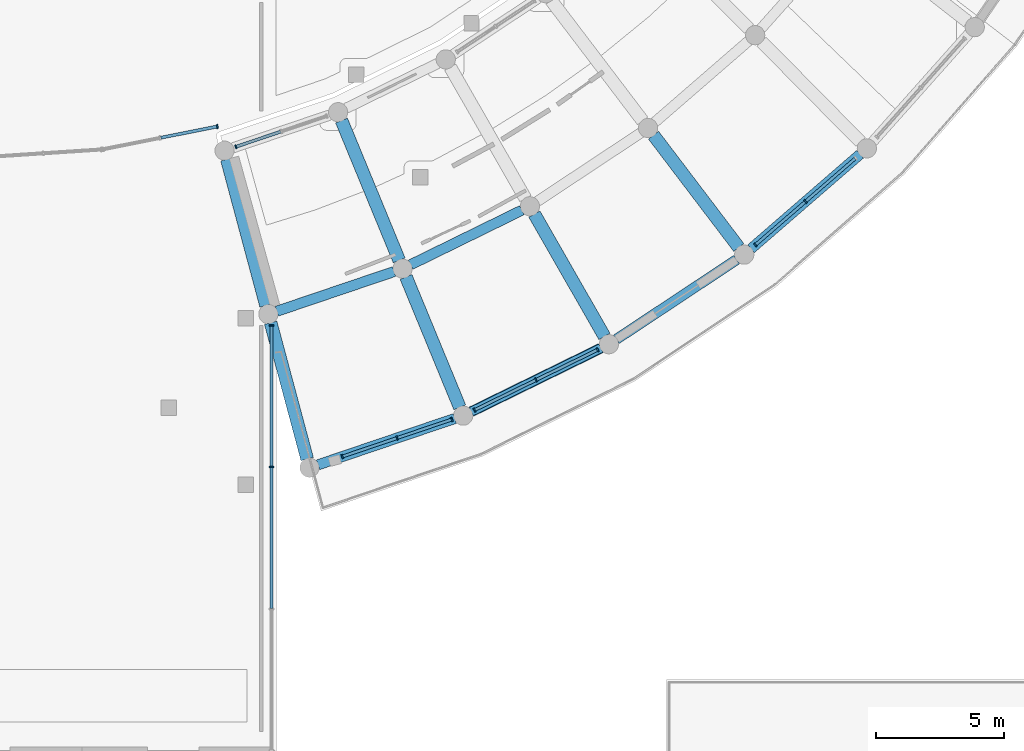
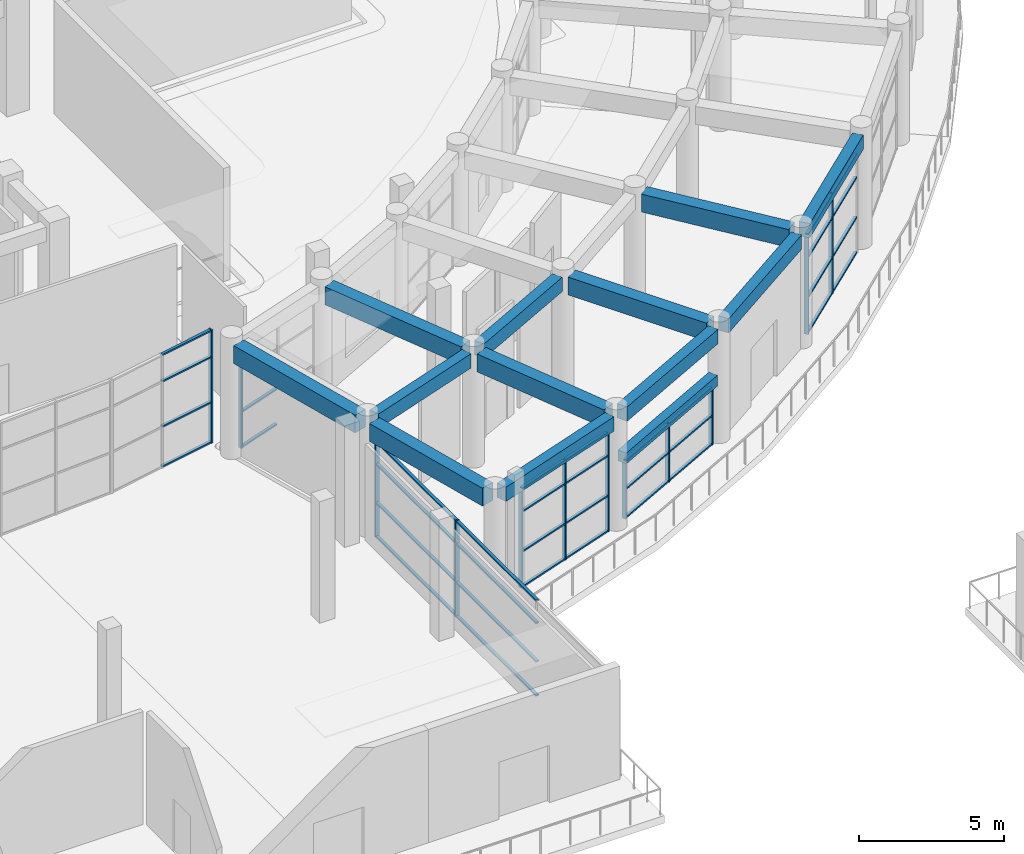
# One storey, part 28 of 99: 48 members, 13 beams, 6 elements without a shape of their own.
"""IFC4 building model written with IfcOpenShell, lengths in metres."""

from ifc_helpers import new_model, si_unit, direction, frame, origin, origin_2d, place, context, subcontext, project, spatial, rectangle, extrude, material, material_profile, profile_set, type_object, element, aggregate, save


model = new_model("IFC4")

# Units and contexts
model_context = context("Model", 3, precision=1e-05, world=origin(), true_north=direction((0.0, 1.0)))
body_context = subcontext(model_context, "Body", "Model", "MODEL_VIEW")
ifc_project = project(units=[si_unit("LENGTHUNIT", "METRE"), si_unit("AREAUNIT", "SQUARE_METRE"), si_unit("VOLUMEUNIT", "CUBIC_METRE"), si_unit("PLANEANGLEUNIT", "RADIAN"), si_unit("MASSUNIT", "GRAM", prefix="KILO")], contexts=[model_context])

# Site, building, storey
site_placement = place(None, origin())
site = spatial("IfcSite", under=ifc_project, at=site_placement, CompositionType="ELEMENT")
building_placement = place(site_placement, origin())
building = spatial("IfcBuilding", under=site, at=building_placement, Name="Saryqyr Civic Hall", CompositionType="ELEMENT")
storey_placement = place(building_placement, origin())
storey = spatial("IfcBuildingStorey", under=building, at=storey_placement, Name="L00", CompositionType="ELEMENT", Elevation=0.0)

# Curtain wall, members
ifc_material_1 = material(Name="Anodised aluminium and triple low-E glass", Category="aluminium")
curtain_wall_type_1 = type_object("IfcCurtainWallType", Name="ENV-CW-STD-32", PredefinedType="NOTDEFINED", material=ifc_material_1)
curtain_wall_1_placement = place(storey_placement, origin())
curtain_wall_1 = element("IfcCurtainWall", 1, at=curtain_wall_1_placement, inside=storey, type_object=curtain_wall_type_1, Name="Curtain wall V5-CWO-L00-00", PredefinedType="NOTDEFINED")
ifc_material_2 = material(Name="Anodised aluminium", Category="aluminium")
ifc_material_profile_1 = material_profile(ifc_material_2, rectangle(XDim=0.06005859375, YDim=0.159912109375, at=origin_2d()), Name="ALU MULLION 60x160")
ifc_profile_set_1 = profile_set([ifc_material_profile_1], Name="Anodised aluminium")
member_type_1 = type_object("IfcMemberType", Name="ENV-CW-MUL-180", PredefinedType="MULLION", material=ifc_profile_set_1)
member_1_placement = place(storey_placement, frame((75.23291015625, 38.548828125, 0.0), z_axis=(0.0, 0.0, 1.0), x_axis=(-0.947197145075, -0.320651786775, 0.0)))
member_1 = element("IfcMember", 2, at=member_1_placement, type_object=member_type_1, Name="CW-32 mullion 1", PredefinedType="MULLION", context=body_context, shape_type="SweptSolid", body=[
    extrude(rectangle(XDim=0.06005859375, YDim=0.159912109375, at=origin_2d()), origin(), (0.0, 0.0, 1.0), 4.195068359375),
])
member_2_placement = place(storey_placement, frame((73.098388671875, 37.826171875, 0.0), z_axis=(0.0, 0.0, 1.0), x_axis=(-0.947197145075, -0.320651786775, 0.0)))
member_2 = element("IfcMember", 3, at=member_2_placement, type_object=member_type_1, Name="CW-32 mullion 2", PredefinedType="MULLION", context=body_context, shape_type="SweptSolid", body=[
    extrude(rectangle(XDim=0.06005859375, YDim=0.159912109375, at=origin_2d()), origin(), (0.0, 0.0, 1.0), 4.195068359375),
])
member_3_placement = place(storey_placement, frame((70.964111328125, 37.103515625, 0.0), z_axis=(0.0, 0.0, 1.0), x_axis=(-0.947197145075, -0.320651786775, 0.0)))
member_3 = element("IfcMember", 4, at=member_3_placement, type_object=member_type_1, Name="CW-32 mullion 3", PredefinedType="MULLION", context=body_context, shape_type="SweptSolid", body=[
    extrude(rectangle(XDim=0.06005859375, YDim=0.159912109375, at=origin_2d()), origin(), (0.0, 0.0, 1.0), 4.195068359375),
])

# Curtain wall, member
curtain_wall_type_2 = type_object("IfcCurtainWallType", Name="ENV-CW-STD-07", PredefinedType="NOTDEFINED", material=ifc_material_1)
curtain_wall_2_placement = place(storey_placement, origin())
curtain_wall_2 = element("IfcCurtainWall", 5, at=curtain_wall_2_placement, inside=storey, type_object=curtain_wall_type_2, Name="Curtain wall V5-CWI-L00-00", PredefinedType="NOTDEFINED")
member_4_placement = place(storey_placement, frame((66.8125, 49.18359375, 0.0), z_axis=(0.0, 0.0, 1.0), x_axis=(0.947204286337, 0.320630690896, 0.0)))
member_4 = element("IfcMember", 6, at=member_4_placement, type_object=member_type_1, Name="CW-07 mullion 1", PredefinedType="MULLION", context=body_context, shape_type="SweptSolid", body=[
    extrude(rectangle(XDim=0.06005859375, YDim=0.159912109375, at=origin_2d()), origin(), (0.0, 0.0, 1.0), 4.195068359375),
])

# Curtain wall, members
curtain_wall_type_3 = type_object("IfcCurtainWallType", Name="ENV-CW-STD-33", PredefinedType="NOTDEFINED", material=ifc_material_1)
curtain_wall_3_placement = place(storey_placement, origin())
curtain_wall_3 = element("IfcCurtainWall", 7, at=curtain_wall_3_placement, inside=storey, type_object=curtain_wall_type_3, Name="Curtain wall V5-CWO-L00-01", PredefinedType="NOTDEFINED")
member_5_placement = place(storey_placement, frame((80.917236328125, 41.26708984375, 0.0), z_axis=(0.0, 0.0, 1.0), x_axis=(-0.897977359396, -0.440041659406, 0.0)))
member_5 = element("IfcMember", 8, at=member_5_placement, type_object=member_type_1, Name="CW-33 mullion 1", PredefinedType="MULLION", context=body_context, shape_type="SweptSolid", body=[
    extrude(rectangle(XDim=0.06005859375, YDim=0.159912109375, at=origin_2d()), origin(), (0.0, 0.0, 1.0), 2.449951171875),
])
member_6_placement = place(storey_placement, frame((78.517822265625, 40.09130859375, 0.0), z_axis=(0.0, 0.0, 1.0), x_axis=(-0.897977359396, -0.440041659406, 0.0)))
member_6 = element("IfcMember", 9, at=member_6_placement, type_object=member_type_1, Name="CW-33 mullion 2", PredefinedType="MULLION", context=body_context, shape_type="SweptSolid", body=[
    extrude(rectangle(XDim=0.06005859375, YDim=0.159912109375, at=origin_2d()), origin(), (0.0, 0.0, 1.0), 2.449951171875),
])
member_7_placement = place(storey_placement, frame((76.118408203125, 38.91552734375, 0.0), z_axis=(0.0, 0.0, 1.0), x_axis=(-0.897977359396, -0.440041659406, 0.0)))
member_7 = element("IfcMember", 10, at=member_7_placement, type_object=member_type_1, Name="CW-33 mullion 3", PredefinedType="MULLION", context=body_context, shape_type="SweptSolid", body=[
    extrude(rectangle(XDim=0.06005859375, YDim=0.159912109375, at=origin_2d()), origin(), (0.0, 0.0, 1.0), 2.449951171875),
])

curtain_wall_type_4 = type_object("IfcCurtainWallType", Name="ENV-CW-STD-34", PredefinedType="NOTDEFINED", material=ifc_material_1)
curtain_wall_4_placement = place(storey_placement, origin())
curtain_wall_4 = element("IfcCurtainWall", 11, at=curtain_wall_4_placement, inside=storey, type_object=curtain_wall_type_4, Name="Curtain wall V5-CWO-L00-03", PredefinedType="NOTDEFINED")
member_8_placement = place(storey_placement, frame((89.026611328125, 47.05029296875, 0.0), z_axis=(0.0, 0.0, 1.0), x_axis=(-0.755656276333, -0.654968390107, 0.0)))
member_8 = element("IfcMember", 12, at=member_8_placement, type_object=member_type_1, Name="CW-34 mullion 2", PredefinedType="MULLION", context=body_context, shape_type="SweptSolid", body=[
    extrude(rectangle(XDim=0.06005859375, YDim=0.159912109375, at=origin_2d()), origin(), (0.0, 0.0, 1.0), 4.195068359375),
])
member_9_placement = place(storey_placement, frame((87.0732421875, 45.357177734375, 0.0), z_axis=(0.0, 0.0, 1.0), x_axis=(-0.755656276333, -0.654968390107, 0.0)))
member_9 = element("IfcMember", 13, at=member_9_placement, type_object=member_type_1, Name="CW-34 mullion 3", PredefinedType="MULLION", context=body_context, shape_type="SweptSolid", body=[
    extrude(rectangle(XDim=0.06005859375, YDim=0.159912109375, at=origin_2d()), origin(), (0.0, 0.0, 1.0), 4.195068359375),
])

curtain_wall_type_5 = type_object("IfcCurtainWallType", Name="ENV-CW-STD-64", PredefinedType="NOTDEFINED", material=ifc_material_1)
curtain_wall_5_placement = place(storey_placement, origin())
curtain_wall_5 = element("IfcCurtainWall", 14, at=curtain_wall_5_placement, inside=storey, type_object=curtain_wall_type_5, Name="Curtain wall V2-VESTFLK-SE-L00", PredefinedType="NOTDEFINED")
member_10_placement = place(storey_placement, frame((68.199951171875, 42.21337890625, 0.0), z_axis=(0.0, 0.0, 1.0), x_axis=(0.0, -1.0, 0.0)))
member_10 = element("IfcMember", 15, at=member_10_placement, type_object=member_type_1, Name="CW-64 mullion 1", PredefinedType="MULLION", context=body_context, shape_type="SweptSolid", body=[
    extrude(rectangle(XDim=0.06005859375, YDim=0.159912109375, at=origin_2d()), origin(), (0.0, 0.0, 1.0), 4.044921875),
])
member_11_placement = place(storey_placement, frame((68.199951171875, 36.698974609375, 0.0), z_axis=(0.0, 0.0, 1.0), x_axis=(0.0, -1.0, 0.0)))
member_11 = element("IfcMember", 16, at=member_11_placement, type_object=member_type_1, Name="CW-64 mullion 2", PredefinedType="MULLION", context=body_context, shape_type="SweptSolid", body=[
    extrude(rectangle(XDim=0.06005859375, YDim=0.159912109375, at=origin_2d()), origin(), (0.0, 0.0, 1.0), 4.044921875),
])

# Curtain wall, member
curtain_wall_type_6 = type_object("IfcCurtainWallType", Name="ENV-CW-STD-67", PredefinedType="NOTDEFINED", material=ifc_material_1)
curtain_wall_6_placement = place(storey_placement, origin())
curtain_wall_6 = element("IfcCurtainWall", 17, at=curtain_wall_6_placement, inside=storey, type_object=curtain_wall_type_6, Name="Curtain wall V2-PERIM-CW-L00-37", PredefinedType="NOTDEFINED")
member_12_placement = place(storey_placement, frame((66.086181640625, 49.974365234375, 0.0), z_axis=(0.0, 0.0, 1.0), x_axis=(-0.980784679507, -0.195093342902, 0.0)))
member_12 = element("IfcMember", 18, at=member_12_placement, type_object=member_type_1, Name="CW-67 mullion 1", PredefinedType="MULLION", context=body_context, shape_type="SweptSolid", body=[
    extrude(rectangle(XDim=0.06005859375, YDim=0.159912109375, at=origin_2d()), origin(), (0.0, 0.0, 1.0), 4.75),
])

# Member
ifc_material_profile_2 = material_profile(ifc_material_2, rectangle(XDim=0.1201171875, YDim=0.06005859375, at=origin_2d()), Name="ALU TRANSOM 120x60")
ifc_profile_set_2 = profile_set([ifc_material_profile_2], Name="Anodised aluminium")
member_type_2 = type_object("IfcMemberType", Name="ENV-CW-TRN-150", PredefinedType="USERDEFINED", material=ifc_profile_set_2)
member_13_placement = place(storey_placement, frame((75.20458984375, 38.5390625, 0.030029296875), z_axis=(-0.94722636943, -0.320565445824, 0.0), x_axis=(0.320565445824, -0.94722636943, 0.0)))
member_13 = element("IfcMember", 19, at=member_13_placement, type_object=member_type_2, Name="CW-32 transom 1.1", ObjectType="TRANSOM", PredefinedType="USERDEFINED", context=body_context, shape_type="SweptSolid", body=[
    extrude(rectangle(XDim=0.1201171875, YDim=0.06005859375, at=origin_2d()), origin(), (0.0, 0.0, 1.0), 2.193359375),
])

member_14_placement = place(storey_placement, frame((75.20458984375, 38.5390625, 1.510009765625), z_axis=(-0.94722636943, -0.320565445824, 0.0), x_axis=(0.320565445824, -0.94722636943, 0.0)))
member_14 = element("IfcMember", 20, at=member_14_placement, type_object=member_type_2, Name="CW-32 transom 1.2", ObjectType="TRANSOM", PredefinedType="USERDEFINED", context=body_context, shape_type="SweptSolid", body=[
    extrude(rectangle(XDim=0.1201171875, YDim=0.06005859375, at=origin_2d()), origin(), (0.0, 0.0, 1.0), 2.193359375),
])

member_15_placement = place(storey_placement, frame((75.20458984375, 38.5390625, 3.18798828125), z_axis=(-0.94722636943, -0.320565445824, 0.0), x_axis=(0.320565445824, -0.94722636943, 0.0)))
member_15 = element("IfcMember", 21, at=member_15_placement, type_object=member_type_2, Name="CW-32 transom 1.3", ObjectType="TRANSOM", PredefinedType="USERDEFINED", context=body_context, shape_type="SweptSolid", body=[
    extrude(rectangle(XDim=0.1201171875, YDim=0.06005859375, at=origin_2d()), origin(), (0.0, 0.0, 1.0), 2.193359375),
])

member_16_placement = place(storey_placement, frame((75.20458984375, 38.5390625, 4.1650390625), z_axis=(-0.94722636943, -0.320565445824, 0.0), x_axis=(0.320565445824, -0.94722636943, 0.0)))
member_16 = element("IfcMember", 22, at=member_16_placement, type_object=member_type_2, Name="CW-32 transom 1.4", ObjectType="TRANSOM", PredefinedType="USERDEFINED", context=body_context, shape_type="SweptSolid", body=[
    extrude(rectangle(XDim=0.1201171875, YDim=0.06005859375, at=origin_2d()), origin(), (0.0, 0.0, 1.0), 2.193359375),
])

member_17_placement = place(storey_placement, frame((73.070068359375, 37.816650390625, 0.030029296875), z_axis=(-0.947192567084, -0.320665309726, 0.0), x_axis=(0.320665309726, -0.947192567084, 0.0)))
member_17 = element("IfcMember", 23, at=member_17_placement, type_object=member_type_2, Name="CW-32 transom 2.1", ObjectType="TRANSOM", PredefinedType="USERDEFINED", context=body_context, shape_type="SweptSolid", body=[
    extrude(rectangle(XDim=0.1201171875, YDim=0.06005859375, at=origin_2d()), origin(), (0.0, 0.0, 1.0), 2.193359375),
])

member_18_placement = place(storey_placement, frame((73.070068359375, 37.816650390625, 1.510009765625), z_axis=(-0.947192567084, -0.320665309726, 0.0), x_axis=(0.320665309726, -0.947192567084, 0.0)))
member_18 = element("IfcMember", 24, at=member_18_placement, type_object=member_type_2, Name="CW-32 transom 2.2", ObjectType="TRANSOM", PredefinedType="USERDEFINED", context=body_context, shape_type="SweptSolid", body=[
    extrude(rectangle(XDim=0.1201171875, YDim=0.06005859375, at=origin_2d()), origin(), (0.0, 0.0, 1.0), 2.193359375),
])

member_19_placement = place(storey_placement, frame((73.070068359375, 37.816650390625, 3.18798828125), z_axis=(-0.947192567084, -0.320665309726, 0.0), x_axis=(0.320665309726, -0.947192567084, 0.0)))
member_19 = element("IfcMember", 25, at=member_19_placement, type_object=member_type_2, Name="CW-32 transom 2.3", ObjectType="TRANSOM", PredefinedType="USERDEFINED", context=body_context, shape_type="SweptSolid", body=[
    extrude(rectangle(XDim=0.1201171875, YDim=0.06005859375, at=origin_2d()), origin(), (0.0, 0.0, 1.0), 2.193359375),
])

member_20_placement = place(storey_placement, frame((73.070068359375, 37.816650390625, 4.1650390625), z_axis=(-0.947192567084, -0.320665309726, 0.0), x_axis=(0.320665309726, -0.947192567084, 0.0)))
member_20 = element("IfcMember", 26, at=member_20_placement, type_object=member_type_2, Name="CW-32 transom 2.4", ObjectType="TRANSOM", PredefinedType="USERDEFINED", context=body_context, shape_type="SweptSolid", body=[
    extrude(rectangle(XDim=0.1201171875, YDim=0.06005859375, at=origin_2d()), origin(), (0.0, 0.0, 1.0), 2.193359375),
])

aggregate(curtain_wall_1, [member_1, member_2, member_3, member_13, member_14, member_15, member_16, member_17, member_18, member_19, member_20])

member_21_placement = place(storey_placement, frame((66.841064453125, 49.193359375, 0.030029296875), z_axis=(0.947215969573, 0.320596174317, 0.0), x_axis=(-0.320596174317, 0.947215969573, 0.0)))
member_21 = element("IfcMember", 27, at=member_21_placement, type_object=member_type_2, Name="CW-07 transom 1.1", ObjectType="TRANSOM", PredefinedType="USERDEFINED", context=body_context, shape_type="SweptSolid", body=[
    extrude(rectangle(XDim=0.1201171875, YDim=0.06005859375, at=origin_2d()), origin(), (0.0, 0.0, 1.0), 1.809326171875),
])

member_22_placement = place(storey_placement, frame((66.841064453125, 49.193359375, 1.510009765625), z_axis=(0.947215969573, 0.320596174317, 0.0), x_axis=(-0.320596174317, 0.947215969573, 0.0)))
member_22 = element("IfcMember", 28, at=member_22_placement, type_object=member_type_2, Name="CW-07 transom 1.2", ObjectType="TRANSOM", PredefinedType="USERDEFINED", context=body_context, shape_type="SweptSolid", body=[
    extrude(rectangle(XDim=0.1201171875, YDim=0.06005859375, at=origin_2d()), origin(), (0.0, 0.0, 1.0), 1.809326171875),
])

aggregate(curtain_wall_2, [member_4, member_21, member_22])

member_23_placement = place(storey_placement, frame((80.89013671875, 41.25390625, 0.030029296875), z_axis=(-0.897969248814, -0.440058209995, 0.0), x_axis=(0.440058209995, -0.897969248814, 0.0)))
member_23 = element("IfcMember", 29, at=member_23_placement, type_object=member_type_2, Name="CW-33 transom 1.1", ObjectType="TRANSOM", PredefinedType="USERDEFINED", context=body_context, shape_type="SweptSolid", body=[
    extrude(rectangle(XDim=0.1201171875, YDim=0.06005859375, at=origin_2d()), origin(), (0.0, 0.0, 1.0), 2.612060546875),
])

member_24_placement = place(storey_placement, frame((80.89013671875, 41.25390625, 1.22509765625), z_axis=(-0.897969248814, -0.440058209995, 0.0), x_axis=(0.440058209995, -0.897969248814, 0.0)))
member_24 = element("IfcMember", 30, at=member_24_placement, type_object=member_type_2, Name="CW-33 transom 1.2", ObjectType="TRANSOM", PredefinedType="USERDEFINED", context=body_context, shape_type="SweptSolid", body=[
    extrude(rectangle(XDim=0.1201171875, YDim=0.06005859375, at=origin_2d()), origin(), (0.0, 0.0, 1.0), 2.612060546875),
])

member_25_placement = place(storey_placement, frame((80.89013671875, 41.25390625, 2.419921875), z_axis=(-0.897969248814, -0.440058209995, 0.0), x_axis=(0.440058209995, -0.897969248814, 0.0)))
member_25 = element("IfcMember", 31, at=member_25_placement, type_object=member_type_2, Name="CW-33 transom 1.3", ObjectType="TRANSOM", PredefinedType="USERDEFINED", context=body_context, shape_type="SweptSolid", body=[
    extrude(rectangle(XDim=0.1201171875, YDim=0.06005859375, at=origin_2d()), origin(), (0.0, 0.0, 1.0), 2.612060546875),
])

member_26_placement = place(storey_placement, frame((78.49072265625, 40.078125, 0.030029296875), z_axis=(-0.897969248814, -0.440058209995, 0.0), x_axis=(0.440058209995, -0.897969248814, 0.0)))
member_26 = element("IfcMember", 32, at=member_26_placement, type_object=member_type_2, Name="CW-33 transom 2.1", ObjectType="TRANSOM", PredefinedType="USERDEFINED", context=body_context, shape_type="SweptSolid", body=[
    extrude(rectangle(XDim=0.1201171875, YDim=0.06005859375, at=origin_2d()), origin(), (0.0, 0.0, 1.0), 2.612060546875),
])

member_27_placement = place(storey_placement, frame((78.49072265625, 40.078125, 1.22509765625), z_axis=(-0.897969248814, -0.440058209995, 0.0), x_axis=(0.440058209995, -0.897969248814, 0.0)))
member_27 = element("IfcMember", 33, at=member_27_placement, type_object=member_type_2, Name="CW-33 transom 2.2", ObjectType="TRANSOM", PredefinedType="USERDEFINED", context=body_context, shape_type="SweptSolid", body=[
    extrude(rectangle(XDim=0.1201171875, YDim=0.06005859375, at=origin_2d()), origin(), (0.0, 0.0, 1.0), 2.612060546875),
])

member_28_placement = place(storey_placement, frame((78.49072265625, 40.078125, 2.419921875), z_axis=(-0.897969248814, -0.440058209995, 0.0), x_axis=(0.440058209995, -0.897969248814, 0.0)))
member_28 = element("IfcMember", 34, at=member_28_placement, type_object=member_type_2, Name="CW-33 transom 2.3", ObjectType="TRANSOM", PredefinedType="USERDEFINED", context=body_context, shape_type="SweptSolid", body=[
    extrude(rectangle(XDim=0.1201171875, YDim=0.06005859375, at=origin_2d()), origin(), (0.0, 0.0, 1.0), 2.612060546875),
])

aggregate(curtain_wall_3, [member_5, member_6, member_7, member_23, member_24, member_25, member_26, member_27, member_28])

member_29_placement = place(storey_placement, frame((90.957275390625, 48.7236328125, 0.030029296875), z_axis=(-0.755641226023, -0.654985753689, 0.0), x_axis=(0.654985753689, -0.755641226023, 0.0)))
member_29 = element("IfcMember", 35, at=member_29_placement, type_object=member_type_2, Name="CW-34 transom 1.1", ObjectType="TRANSOM", PredefinedType="USERDEFINED", context=body_context, shape_type="SweptSolid", body=[
    extrude(rectangle(XDim=0.1201171875, YDim=0.06005859375, at=origin_2d()), origin(), (0.0, 0.0, 1.0), 2.52490234375),
])

member_30_placement = place(storey_placement, frame((90.957275390625, 48.7236328125, 1.510009765625), z_axis=(-0.755641226023, -0.654985753689, 0.0), x_axis=(0.654985753689, -0.755641226023, 0.0)))
member_30 = element("IfcMember", 36, at=member_30_placement, type_object=member_type_2, Name="CW-34 transom 1.2", ObjectType="TRANSOM", PredefinedType="USERDEFINED", context=body_context, shape_type="SweptSolid", body=[
    extrude(rectangle(XDim=0.1201171875, YDim=0.06005859375, at=origin_2d()), origin(), (0.0, 0.0, 1.0), 2.52490234375),
])

member_31_placement = place(storey_placement, frame((90.957275390625, 48.7236328125, 3.18798828125), z_axis=(-0.755641226023, -0.654985753689, 0.0), x_axis=(0.654985753689, -0.755641226023, 0.0)))
member_31 = element("IfcMember", 37, at=member_31_placement, type_object=member_type_2, Name="CW-34 transom 1.3", ObjectType="TRANSOM", PredefinedType="USERDEFINED", context=body_context, shape_type="SweptSolid", body=[
    extrude(rectangle(XDim=0.1201171875, YDim=0.06005859375, at=origin_2d()), origin(), (0.0, 0.0, 1.0), 2.52490234375),
])

member_32_placement = place(storey_placement, frame((90.957275390625, 48.7236328125, 4.1650390625), z_axis=(-0.755641226023, -0.654985753689, 0.0), x_axis=(0.654985753689, -0.755641226023, 0.0)))
member_32 = element("IfcMember", 38, at=member_32_placement, type_object=member_type_2, Name="CW-34 transom 1.4", ObjectType="TRANSOM", PredefinedType="USERDEFINED", context=body_context, shape_type="SweptSolid", body=[
    extrude(rectangle(XDim=0.1201171875, YDim=0.06005859375, at=origin_2d()), origin(), (0.0, 0.0, 1.0), 2.52490234375),
])

member_33_placement = place(storey_placement, frame((89.00390625, 47.030517578125, 0.030029296875), z_axis=(-0.755641226023, -0.654985753689, 0.0), x_axis=(0.654985753689, -0.755641226023, 0.0)))
member_33 = element("IfcMember", 39, at=member_33_placement, type_object=member_type_2, Name="CW-34 transom 2.1", ObjectType="TRANSOM", PredefinedType="USERDEFINED", context=body_context, shape_type="SweptSolid", body=[
    extrude(rectangle(XDim=0.1201171875, YDim=0.06005859375, at=origin_2d()), origin(), (0.0, 0.0, 1.0), 2.52490234375),
])

member_34_placement = place(storey_placement, frame((89.00390625, 47.030517578125, 1.510009765625), z_axis=(-0.755641226023, -0.654985753689, 0.0), x_axis=(0.654985753689, -0.755641226023, 0.0)))
member_34 = element("IfcMember", 40, at=member_34_placement, type_object=member_type_2, Name="CW-34 transom 2.2", ObjectType="TRANSOM", PredefinedType="USERDEFINED", context=body_context, shape_type="SweptSolid", body=[
    extrude(rectangle(XDim=0.1201171875, YDim=0.06005859375, at=origin_2d()), origin(), (0.0, 0.0, 1.0), 2.52490234375),
])

member_35_placement = place(storey_placement, frame((89.00390625, 47.030517578125, 3.18798828125), z_axis=(-0.755641226023, -0.654985753689, 0.0), x_axis=(0.654985753689, -0.755641226023, 0.0)))
member_35 = element("IfcMember", 41, at=member_35_placement, type_object=member_type_2, Name="CW-34 transom 2.3", ObjectType="TRANSOM", PredefinedType="USERDEFINED", context=body_context, shape_type="SweptSolid", body=[
    extrude(rectangle(XDim=0.1201171875, YDim=0.06005859375, at=origin_2d()), origin(), (0.0, 0.0, 1.0), 2.52490234375),
])

member_36_placement = place(storey_placement, frame((89.00390625, 47.030517578125, 4.1650390625), z_axis=(-0.755641226023, -0.654985753689, 0.0), x_axis=(0.654985753689, -0.755641226023, 0.0)))
member_36 = element("IfcMember", 42, at=member_36_placement, type_object=member_type_2, Name="CW-34 transom 2.4", ObjectType="TRANSOM", PredefinedType="USERDEFINED", context=body_context, shape_type="SweptSolid", body=[
    extrude(rectangle(XDim=0.1201171875, YDim=0.06005859375, at=origin_2d()), origin(), (0.0, 0.0, 1.0), 2.52490234375),
])

aggregate(curtain_wall_4, [member_8, member_9, member_29, member_30, member_31, member_32, member_33, member_34, member_35, member_36])

member_37_placement = place(storey_placement, frame((68.199951171875, 42.183349609375, 0.030029296875), z_axis=(0.0, -1.0, 0.0), x_axis=(1.0, 0.0, 0.0)))
member_37 = element("IfcMember", 43, at=member_37_placement, type_object=member_type_2, Name="CW-64 transom 1.1", ObjectType="TRANSOM", PredefinedType="USERDEFINED", context=body_context, shape_type="SweptSolid", body=[
    extrude(rectangle(XDim=0.1201171875, YDim=0.06005859375, at=origin_2d()), origin(), (0.0, 0.0, 1.0), 5.454345703125),
])

member_38_placement = place(storey_placement, frame((68.199951171875, 42.183349609375, 1.4560546875), z_axis=(0.0, -1.0, 0.0), x_axis=(1.0, 0.0, 0.0)))
member_38 = element("IfcMember", 44, at=member_38_placement, type_object=member_type_2, Name="CW-64 transom 1.2", ObjectType="TRANSOM", PredefinedType="USERDEFINED", context=body_context, shape_type="SweptSolid", body=[
    extrude(rectangle(XDim=0.1201171875, YDim=0.06005859375, at=origin_2d()), origin(), (0.0, 0.0, 1.0), 5.454345703125),
])

member_39_placement = place(storey_placement, frame((68.199951171875, 42.183349609375, 3.073974609375), z_axis=(0.0, -1.0, 0.0), x_axis=(1.0, 0.0, 0.0)))
member_39 = element("IfcMember", 45, at=member_39_placement, type_object=member_type_2, Name="CW-64 transom 1.3", ObjectType="TRANSOM", PredefinedType="USERDEFINED", context=body_context, shape_type="SweptSolid", body=[
    extrude(rectangle(XDim=0.1201171875, YDim=0.06005859375, at=origin_2d()), origin(), (0.0, 0.0, 1.0), 5.454345703125),
])

member_40_placement = place(storey_placement, frame((68.199951171875, 42.183349609375, 4.014892578125), z_axis=(0.0, -1.0, 0.0), x_axis=(1.0, 0.0, 0.0)))
member_40 = element("IfcMember", 46, at=member_40_placement, type_object=member_type_2, Name="CW-64 transom 1.4", ObjectType="TRANSOM", PredefinedType="USERDEFINED", context=body_context, shape_type="SweptSolid", body=[
    extrude(rectangle(XDim=0.1201171875, YDim=0.06005859375, at=origin_2d()), origin(), (0.0, 0.0, 1.0), 5.454345703125),
])

member_41_placement = place(storey_placement, frame((68.199951171875, 36.6689453125, 0.030029296875), z_axis=(0.0, -1.0, 0.0), x_axis=(1.0, 0.0, 0.0)))
member_41 = element("IfcMember", 47, at=member_41_placement, type_object=member_type_2, Name="CW-64 transom 2.1", ObjectType="TRANSOM", PredefinedType="USERDEFINED", context=body_context, shape_type="SweptSolid", body=[
    extrude(rectangle(XDim=0.1201171875, YDim=0.06005859375, at=origin_2d()), origin(), (0.0, 0.0, 1.0), 5.484375),
])

member_42_placement = place(storey_placement, frame((68.199951171875, 36.6689453125, 1.4560546875), z_axis=(0.0, -1.0, 0.0), x_axis=(1.0, 0.0, 0.0)))
member_42 = element("IfcMember", 48, at=member_42_placement, type_object=member_type_2, Name="CW-64 transom 2.2", ObjectType="TRANSOM", PredefinedType="USERDEFINED", context=body_context, shape_type="SweptSolid", body=[
    extrude(rectangle(XDim=0.1201171875, YDim=0.06005859375, at=origin_2d()), origin(), (0.0, 0.0, 1.0), 5.484375),
])

member_43_placement = place(storey_placement, frame((68.199951171875, 36.6689453125, 3.073974609375), z_axis=(0.0, -1.0, 0.0), x_axis=(1.0, 0.0, 0.0)))
member_43 = element("IfcMember", 49, at=member_43_placement, type_object=member_type_2, Name="CW-64 transom 2.3", ObjectType="TRANSOM", PredefinedType="USERDEFINED", context=body_context, shape_type="SweptSolid", body=[
    extrude(rectangle(XDim=0.1201171875, YDim=0.06005859375, at=origin_2d()), origin(), (0.0, 0.0, 1.0), 5.484375),
])

member_44_placement = place(storey_placement, frame((68.199951171875, 36.6689453125, 4.014892578125), z_axis=(0.0, -1.0, 0.0), x_axis=(1.0, 0.0, 0.0)))
member_44 = element("IfcMember", 50, at=member_44_placement, type_object=member_type_2, Name="CW-64 transom 2.4", ObjectType="TRANSOM", PredefinedType="USERDEFINED", context=body_context, shape_type="SweptSolid", body=[
    extrude(rectangle(XDim=0.1201171875, YDim=0.06005859375, at=origin_2d()), origin(), (0.0, 0.0, 1.0), 5.484375),
])

aggregate(curtain_wall_5, [member_10, member_11, member_37, member_38, member_39, member_40, member_41, member_42, member_43, member_44])

member_45_placement = place(storey_placement, frame((66.056640625, 49.968505859375, 0.030029296875), z_axis=(-0.980779555737, -0.195119099651, 0.0), x_axis=(0.195119099651, -0.980779555737, 0.0)))
member_45 = element("IfcMember", 51, at=member_45_placement, type_object=member_type_2, Name="CW-67 transom 1.1", ObjectType="TRANSOM", PredefinedType="USERDEFINED", context=body_context, shape_type="SweptSolid", body=[
    extrude(rectangle(XDim=0.1201171875, YDim=0.06005859375, at=origin_2d()), origin(), (0.0, 0.0, 1.0), 2.21337890625),
])

member_46_placement = place(storey_placement, frame((66.056640625, 49.968505859375, 1.7099609375), z_axis=(-0.980779555737, -0.195119099651, 0.0), x_axis=(0.195119099651, -0.980779555737, 0.0)))
member_46 = element("IfcMember", 52, at=member_46_placement, type_object=member_type_2, Name="CW-67 transom 1.2", ObjectType="TRANSOM", PredefinedType="USERDEFINED", context=body_context, shape_type="SweptSolid", body=[
    extrude(rectangle(XDim=0.1201171875, YDim=0.06005859375, at=origin_2d()), origin(), (0.0, 0.0, 1.0), 2.21337890625),
])

member_47_placement = place(storey_placement, frame((66.056640625, 49.968505859375, 3.610107421875), z_axis=(-0.980779555737, -0.195119099651, 0.0), x_axis=(0.195119099651, -0.980779555737, 0.0)))
member_47 = element("IfcMember", 53, at=member_47_placement, type_object=member_type_2, Name="CW-67 transom 1.3", ObjectType="TRANSOM", PredefinedType="USERDEFINED", context=body_context, shape_type="SweptSolid", body=[
    extrude(rectangle(XDim=0.1201171875, YDim=0.06005859375, at=origin_2d()), origin(), (0.0, 0.0, 1.0), 2.21337890625),
])

member_48_placement = place(storey_placement, frame((66.056640625, 49.968505859375, 4.719970703125), z_axis=(-0.980779555737, -0.195119099651, 0.0), x_axis=(0.195119099651, -0.980779555737, 0.0)))
member_48 = element("IfcMember", 54, at=member_48_placement, type_object=member_type_2, Name="CW-67 transom 1.4", ObjectType="TRANSOM", PredefinedType="USERDEFINED", context=body_context, shape_type="SweptSolid", body=[
    extrude(rectangle(XDim=0.1201171875, YDim=0.06005859375, at=origin_2d()), origin(), (0.0, 0.0, 1.0), 2.21337890625),
])

aggregate(curtain_wall_6, [member_12, member_45, member_46, member_47, member_48])

# Beams
ifc_material_3 = material(Name="Concrete C35/45", Category="concrete")
ifc_material_profile_3 = material_profile(ifc_material_3, rectangle(XDim=0.39990234375, YDim=0.60009765625, at=origin_2d()), Name="RC 400x600")
ifc_profile_set_3 = profile_set([ifc_material_profile_3], Name="Concrete C35/45")
beam_type_1 = type_object("IfcBeamType", Name="STR-BM-RC400x600", PredefinedType="BEAM", material=ifc_profile_set_3)
for number, where, z_axis, x_axis, name in (
    (55, (68.408935546875, 42.7705078125, 4.52001953125), (0.947191159228, 0.320669468268, 0.0), (-0.320669468268, 0.947191159228, 0.0), "Beam V5-CBM-MID00-L00"),
    (56, (73.627685546875, 44.5849609375, 4.52001953125), (0.897959126553, 0.440078864568, 0.0), (-0.440078864568, 0.897959126553, 0.0), "Beam V5-CBM-MID01-L00"),
):
    element("IfcBeam", number, at=place(storey_placement, frame(where, z_axis=z_axis, x_axis=x_axis)), inside=storey, type_object=beam_type_1, Name=name, PredefinedType="BEAM", context=body_context, shape_type="SweptSolid", body=[
        extrude(rectangle(XDim=0.39990234375, YDim=0.60009765625, at=origin_2d()), origin(), (0.0, 0.0, 1.0), 4.82763671875),
    ])
ifc_material_profile_4 = material_profile(ifc_material_3, rectangle(XDim=0.39990234375, YDim=0.60009765625, at=origin_2d()), Name="RC 400x600")
ifc_profile_set_4 = profile_set([ifc_material_profile_4], Name="Concrete C35/45")
beam_type_2 = type_object("IfcBeamType", Name="STR-BM-RC400x600-EXT", PredefinedType="BEAM", material=ifc_profile_set_4)
beam_1_placement = place(storey_placement, frame((70.013671875, 36.78173828125, 4.52001953125), z_axis=(0.94718941971, 0.320674606398, 0.0), x_axis=(-0.320674606398, 0.94718941971, 0.0)))
element("IfcBeam", 57, at=beam_1_placement, inside=storey, type_object=beam_type_2, Name="Beam V5-CBM-OUT00-L00", PredefinedType="BEAM", context=body_context, shape_type="SweptSolid", body=[
    extrude(rectangle(XDim=0.39990234375, YDim=0.60009765625, at=origin_2d()), origin(), (0.0, 0.0, 1.0), 5.628662109375),
])
beam_2_placement = place(storey_placement, frame((75.99072265625, 38.852783203125, 4.52001953125), z_axis=(0.897972818896, 0.44005092492, 0.0), x_axis=(-0.44005092492, 0.897972818896, 0.0)))
element("IfcBeam", 58, at=beam_2_placement, inside=storey, type_object=beam_type_2, Name="Beam V5-CBM-OUT01-L00", PredefinedType="BEAM", context=body_context, shape_type="SweptSolid", body=[
    extrude(rectangle(XDim=0.39990234375, YDim=0.60009765625, at=origin_2d()), origin(), (0.0, 0.0, 1.0), 5.62841796875),
])
beam_3_placement = place(storey_placement, frame((81.65087890625, 41.677001953125, 4.52001953125), z_axis=(0.833761312871, 0.552125052103, 0.0), x_axis=(-0.552125052103, 0.833761312871, 0.0)))
element("IfcBeam", 59, at=beam_3_placement, inside=storey, type_object=beam_type_2, Name="Beam V5-CBM-OUT02-L00", PredefinedType="BEAM", context=body_context, shape_type="SweptSolid", body=[
    extrude(rectangle(XDim=0.39990234375, YDim=0.60009765625, at=origin_2d()), origin(), (0.0, 0.0, 1.0), 5.628662109375),
])
beam_4_placement = place(storey_placement, frame((86.900146484375, 45.20703125, 4.52001953125), z_axis=(0.755650439549, 0.654975124114, 0.0), x_axis=(-0.654975124114, 0.755650439549, 0.0)))
element("IfcBeam", 60, at=beam_4_placement, inside=storey, type_object=beam_type_2, Name="Beam V5-CBM-OUT03-L00", PredefinedType="BEAM", context=body_context, shape_type="SweptSolid", body=[
    extrude(rectangle(XDim=0.39990234375, YDim=0.60009765625, at=origin_2d()), origin(), (0.0, 0.0, 1.0), 5.62841796875),
])
ifc_material_4 = material(Name="Concrete C40/50", Category="concrete")
ifc_material_profile_5 = material_profile(ifc_material_4, rectangle(XDim=0.5, YDim=0.75, at=origin_2d()), Name="RC 500x750")
ifc_profile_set_5 = profile_set([ifc_material_profile_5], Name="Concrete C40/50")
beam_type_3 = type_object("IfcBeamType", Name="STR-BM-RC500x750", PredefinedType="BEAM", material=ifc_profile_set_5)
beam_5_placement = place(storey_placement, frame((66.459716796875, 48.6953125, 4.445068359375), z_axis=(0.258839506001, -0.965920343576, 0.0), x_axis=(0.965920343576, 0.258839506001, 0.0)))
element("IfcBeam", 61, at=beam_5_placement, inside=storey, type_object=beam_type_3, Name="Beam V5-RBM-A00-L00", PredefinedType="BEAM", context=body_context, shape_type="SweptSolid", body=[
    extrude(rectangle(XDim=0.5, YDim=0.75, at=origin_2d()), origin(), (0.0, 0.0, 1.0), 5.89990234375),
])
beam_6_placement = place(storey_placement, frame((68.168212890625, 42.3203125, 4.445068359375), z_axis=(0.258795254151, -0.965932200741, 0.0), x_axis=(0.965932200741, 0.258795254151, 0.0)))
element("IfcBeam", 62, at=beam_6_placement, inside=storey, type_object=beam_type_3, Name="Beam V5-RBM-B00-L00", PredefinedType="BEAM", context=body_context, shape_type="SweptSolid", body=[
    extrude(rectangle(XDim=0.5, YDim=0.75, at=origin_2d()), origin(), (0.0, 0.0, 1.0), 5.499755859375),
])
beam_7_placement = place(storey_placement, frame((70.93115234375, 50.208984375, 4.445068359375), z_axis=(0.381151449436, -0.924512613539, 0.0), x_axis=(0.924512613539, 0.381151449436, 0.0)))
element("IfcBeam", 63, at=beam_7_placement, inside=storey, type_object=beam_type_3, Name="Beam V5-RBM-A01-L00", PredefinedType="BEAM", context=body_context, shape_type="SweptSolid", body=[
    extrude(rectangle(XDim=0.5, YDim=0.75, at=origin_2d()), origin(), (0.0, 0.0, 1.0), 5.89990234375),
])
beam_8_placement = place(storey_placement, frame((73.44677734375, 44.107421875, 4.445068359375), z_axis=(0.381120379949, -0.924525422034, 0.0), x_axis=(0.924525422034, 0.381120379949, 0.0)))
element("IfcBeam", 64, at=beam_8_placement, inside=storey, type_object=beam_type_3, Name="Beam V5-RBM-B01-L00", PredefinedType="BEAM", context=body_context, shape_type="SweptSolid", body=[
    extrude(rectangle(XDim=0.5, YDim=0.75, at=origin_2d()), origin(), (0.0, 0.0, 1.0), 5.5),
])
beam_9_placement = place(storey_placement, frame((78.450927734375, 46.559814453125, 4.445068359375), z_axis=(0.497099460654, -0.867693567003, 0.0), x_axis=(0.867693567003, 0.497099460654, 0.0)))
element("IfcBeam", 65, at=beam_9_placement, inside=storey, type_object=beam_type_3, Name="Beam V5-RBM-B02-L00", PredefinedType="BEAM", context=body_context, shape_type="SweptSolid", body=[
    extrude(rectangle(XDim=0.5, YDim=0.75, at=origin_2d()), origin(), (0.0, 0.0, 1.0), 5.500244140625),
])
beam_10_placement = place(storey_placement, frame((83.097412109375, 49.63671875, 4.445068359375), z_axis=(0.604797357473, -0.796379404802, 0.0), x_axis=(0.796379404802, 0.604797357473, 0.0)))
element("IfcBeam", 66, at=beam_10_placement, inside=storey, type_object=beam_type_3, Name="Beam V5-RBM-B03-L00", PredefinedType="BEAM", context=body_context, shape_type="SweptSolid", body=[
    extrude(rectangle(XDim=0.5, YDim=0.75, at=origin_2d()), origin(), (0.0, 0.0, 1.0), 5.5),
])
ifc_material_5 = material(Name="Precast concrete C40/50", Category="concrete")
ifc_material_profile_6 = material_profile(ifc_material_5, rectangle(XDim=0.35009765625, YDim=0.449951171875, at=origin_2d()), Name="RC 350x450")
ifc_profile_set_6 = profile_set([ifc_material_profile_6], Name="Precast concrete C40/50")
beam_type_4 = type_object("IfcBeamType", Name="STR-LIN-RC350x450", PredefinedType="LINTEL", material=ifc_profile_set_6)
beam_11_placement = place(storey_placement, frame((75.99072265625, 38.852783203125, 2.655029296875), z_axis=(0.897972818896, 0.44005092492, 0.0), x_axis=(-0.44005092492, 0.897972818896, 0.0)))
element("IfcBeam", 67, at=beam_11_placement, inside=storey, type_object=beam_type_4, Name="Beam V5-LIN-01-L00", PredefinedType="LINTEL", context=body_context, shape_type="SweptSolid", body=[
    extrude(rectangle(XDim=0.35009765625, YDim=0.449951171875, at=origin_2d()), origin(), (0.0, 0.0, 1.0), 5.62841796875),
])

save(model, "model.ifc")
